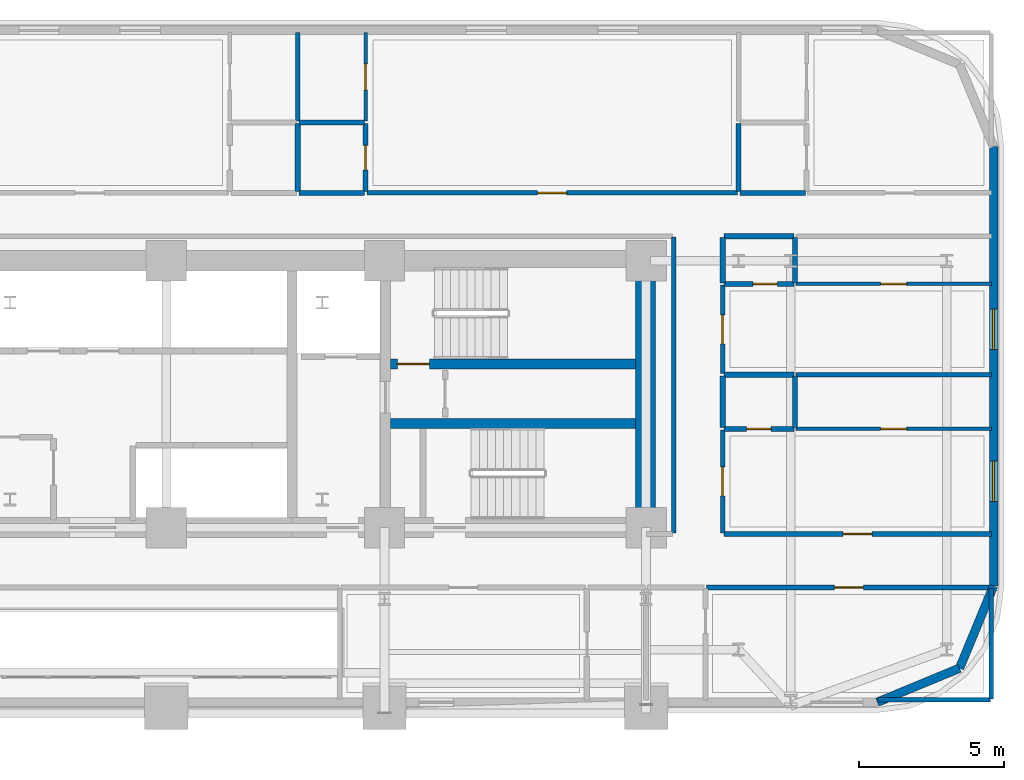
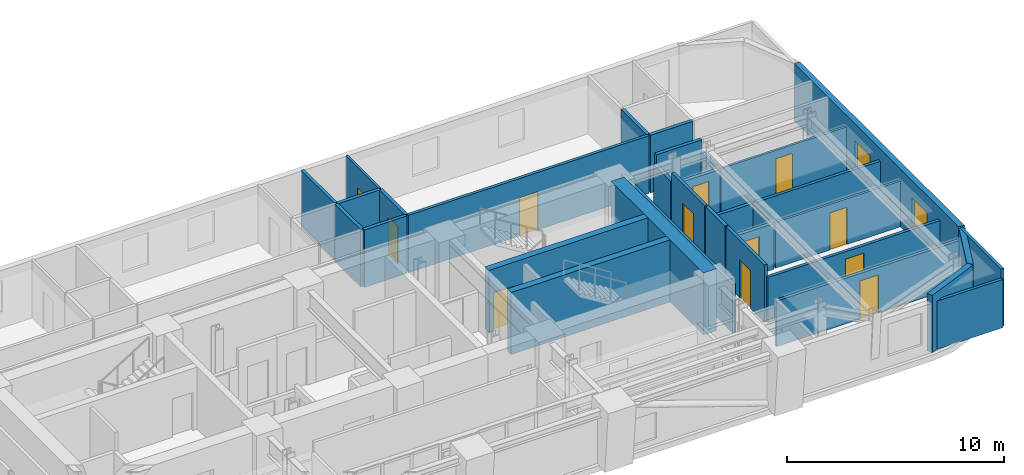
# One storey, part 11 of 15: 33 walls, 12 doors, 2 windows, 14 openings.
"""IFC4 building model written with IfcOpenShell, lengths in metres."""

from ifc_helpers import new_model, si_unit, direction, frame, frame_2d, origin, place, context, subcontext, project, spatial, rectangle, extrude, material, layer, layer_set, type_object, element, fill, save


model = new_model("IFC4")

# Units and contexts
model_context = context("Model", 3, precision=1e-05, world=origin(), true_north=direction((0.0, 1.0)))
body_context = subcontext(model_context, "Body", "Model", "MODEL_VIEW")
ifc_project = project(units=[si_unit("LENGTHUNIT", "METRE"), si_unit("AREAUNIT", "SQUARE_METRE"), si_unit("VOLUMEUNIT", "CUBIC_METRE"), si_unit("PLANEANGLEUNIT", "RADIAN"), si_unit("MASSUNIT", "GRAM", prefix="KILO")], contexts=[model_context])

# Site, building, storey
site_placement = place(None, origin())
site = spatial("IfcSite", under=ifc_project, at=site_placement, CompositionType="ELEMENT")
building_placement = place(site_placement, origin())
building = spatial("IfcBuilding", under=site, at=building_placement, Name="Zarnavel Station Tower", CompositionType="ELEMENT")
storey_placement = place(building_placement, frame((0.0, 0.0, 50.0)))
storey = spatial("IfcBuildingStorey", under=building, at=storey_placement, Name="L13", CompositionType="ELEMENT", Elevation=50.0)

# Wall, opening, door
ifc_material_1 = material(Name="Concrete C50/60", Category="concrete")
ifc_layer_1 = layer(ifc_material_1, 0.35009765625)
ifc_layer_set_1 = layer_set([ifc_layer_1], Name="CW_350")
wall_type_1 = type_object("IfcWallType", Name="CW_350", PredefinedType="SHEAR", material=ifc_layer_set_1)
wall_1_placement = place(storey_placement, frame((45.030029296875, 33.47998046875, 0.0), z_axis=(0.0, 0.0, 1.0), x_axis=(-1.0, 0.0, 0.0)))
wall_1 = element("IfcWall", 1, at=wall_1_placement, inside=storey, type_object=wall_type_1, Name="L13 Rear Core Shear Wall DIV-H2", PredefinedType="SHEAR", context=body_context, shape_type="SweptSolid", body=[
    extrude(rectangle(XDim=8.47509765625, YDim=0.35009765625, at=frame_2d((4.237548828125, 0.0))), origin(), (0.0, 0.0, 1.0), 3.5),
])
opening_1_placement = place(wall_1_placement, frame((7.1298828125, 0.0, 0.0)))
opening_1 = element("IfcOpeningElement", 2, at=opening_1_placement, cuts=wall_1, Name="Opening FD01", PredefinedType="OPENING", context=body_context, shape_type="SweptSolid", body=[
    extrude(rectangle(XDim=1.10009765625, YDim=2.14990234375, at=frame_2d((0.550048828125, 1.074951171875))), frame((0.0, 0.18505859375, 0.0), z_axis=(0.0, -1.0, 0.0), x_axis=(1.0, 0.0, 0.0)), (0.0, 0.0, 1.0), 0.3701171875),
])
ifc_material_2 = material(Name="Painted Galvanised Steel and Hardwood Leaf", Category="steel")
door_type_1 = type_object("IfcDoorType", Name="ID_STAIR_1100", OperationType="NOTDEFINED", PredefinedType="DOOR", material=ifc_material_2)
door_1_placement = place(opening_1_placement, origin())
door_1 = element("IfcDoor", 3, at=door_1_placement, inside=storey, type_object=door_type_1, Name="L13 Stair ST2 Lobby Fire Door", OperationType="SINGLE_SWING_RIGHT", OverallHeight=2.14990234375, OverallWidth=1.10009765625, PredefinedType="DOOR", context=body_context, shape_type="SweptSolid", body=[
    extrude(rectangle(XDim=1.10009765625, YDim=2.14990234375, at=frame_2d((0.550048828125, 1.074951171875))), frame((0.0, 0.02490234375, 0.0), z_axis=(0.0, -1.0, 0.0), x_axis=(1.0, 0.0, 0.0)), (0.0, 0.0, 1.0), 0.050048828125),
])
fill(opening_1, door_1)

# Walls
wall_2_placement = place(storey_placement, frame((36.554931640625, 31.419921875, 0.0), z_axis=(0.0, 0.0, 1.0), x_axis=(1.0, 0.0, 0.0)))
element("IfcWall", 4, at=wall_2_placement, inside=storey, type_object=wall_type_1, Name="L13 Rear Core Shear Wall DIV-H3", PredefinedType="SHEAR", context=body_context, shape_type="SweptSolid", body=[
    extrude(rectangle(XDim=8.47509765625, YDim=0.35009765625, at=frame_2d((4.237548828125, 0.0))), origin(), (0.0, 0.0, 1.0), 3.5),
])
ifc_material_3 = material(Name="Concrete C60/75", Category="concrete")
ifc_layer_2 = layer(ifc_material_3, 0.699951171875)
ifc_layer_set_2 = layer_set([ifc_layer_2], Name="CW_700")
wall_type_2 = type_object("IfcWallType", Name="CW_700", PredefinedType="SHEAR", material=ifc_layer_set_2)
wall_3_placement = place(storey_placement, frame((45.3798828125, 28.169921875, 0.0), z_axis=(0.0, 0.0, 1.0), x_axis=(0.0, 1.0, 0.0)))
element("IfcWall", 5, at=wall_3_placement, inside=storey, type_object=wall_type_2, Name="L13 Rear Core Shear Wall E", PredefinedType="SHEAR", context=body_context, shape_type="SweptSolid", body=[
    extrude(rectangle(XDim=8.530029296875, YDim=0.699951171875, at=frame_2d((4.26513671875, 0.0))), origin(), (0.0, 0.0, 1.0), 3.5),
])
ifc_material_4 = material(Name="Precast concrete C45/55 (Dark Basalt Finish)", Category="masonry")
ifc_layer_3 = layer(ifc_material_4, 0.300048828125)
ifc_layer_set_3 = layer_set([ifc_layer_3], Name="EW_BASALT_300")
wall_type_3 = type_object("IfcWallType", Name="EW_BASALT_300", PredefinedType="SOLIDWALL", material=ifc_layer_set_3)
wall_4_placement = place(storey_placement, frame((56.24267578125, 22.95751953125, 0.0), z_axis=(0.0, 0.0, 1.0), x_axis=(-0.923882414032, -0.382676475685, 0.0)))
element("IfcWall", 6, at=wall_4_placement, inside=storey, type_object=wall_type_3, Name="L13 Exterior Basalt Masonry Frame Wall 01", PredefinedType="SOLIDWALL", context=body_context, shape_type="SweptSolid", body=[
    extrude(rectangle(XDim=3.076904296875, YDim=0.300048828125, at=frame_2d((1.53857421875, 0.0))), origin(), (0.0, 0.0, 1.0), 3.239990234375),
])
wall_5_placement = place(storey_placement, frame((57.419921875, 25.800048828125, 0.0), z_axis=(0.0, 0.0, 1.0), x_axis=(-0.382636798336, -0.92389884758, 0.0)))
element("IfcWall", 7, at=wall_5_placement, inside=storey, type_object=wall_type_3, Name="L13 Exterior Basalt Masonry Frame Wall 02", PredefinedType="SOLIDWALL", context=body_context, shape_type="SweptSolid", body=[
    extrude(rectangle(XDim=3.07666015625, YDim=0.300048828125, at=frame_2d((1.538330078125, 0.0))), origin(), (0.0, 0.0, 1.0), 3.239990234375),
])

# Wall, openings, windows
wall_6_placement = place(storey_placement, frame((57.419921875, 41.0, 0.0), z_axis=(0.0, 0.0, 1.0), x_axis=(0.0, -1.0, 0.0)))
wall_6 = element("IfcWall", 8, at=wall_6_placement, inside=storey, type_object=wall_type_3, Name="L13 Exterior Basalt Masonry Frame Wall 03", PredefinedType="SOLIDWALL", context=body_context, shape_type="SweptSolid", body=[
    extrude(rectangle(XDim=15.199951171875, YDim=0.300048828125, at=frame_2d((7.60009765625, 0.0))), origin(), (0.0, 0.0, 1.0), 3.239990234375),
])
opening_2_placement = place(wall_6_placement, frame((10.882080078125, 0.0, 0.47998046875)))
opening_2 = element("IfcOpeningElement", 9, at=opening_2_placement, cuts=wall_6, Name="Opening WN01", PredefinedType="OPENING", context=body_context, shape_type="SweptSolid", body=[
    extrude(rectangle(XDim=1.39990234375, YDim=1.800048828125, at=frame_2d((0.699951171875, 0.89990234375))), frame((0.0, 0.159912109375, 0.0), z_axis=(0.0, -1.0, 0.0), x_axis=(1.0, 0.0, 0.0)), (0.0, 0.0, 1.0), 0.320068359375),
])
opening_3_placement = place(wall_6_placement, frame((5.62060546875, 0.0, 0.47998046875)))
opening_3 = element("IfcOpeningElement", 10, at=opening_3_placement, cuts=wall_6, Name="Opening WN01", PredefinedType="OPENING", context=body_context, shape_type="SweptSolid", body=[
    extrude(rectangle(XDim=1.39990234375, YDim=1.800048828125, at=frame_2d((0.699951171875, 0.89990234375))), frame((0.0, 0.159912109375, 0.0), z_axis=(0.0, -1.0, 0.0), x_axis=(1.0, 0.0, 0.0)), (0.0, 0.0, 1.0), 0.320068359375),
])
ifc_material_5 = material(Name="Thermally Broken Black Aluminium and Low-E Dark Glass", Category="aluminium")
window_type = type_object("IfcWindowType", Name="WN_1400x1800", PartitioningType="DOUBLE_PANEL_VERTICAL", PredefinedType="WINDOW", material=ifc_material_5)
window_1_placement = place(opening_2_placement, origin())
window_1 = element("IfcWindow", 11, at=window_1_placement, inside=storey, type_object=window_type, Name="L13 Recessed Facade Window 01", OverallHeight=1.800048828125, OverallWidth=1.39990234375, PartitioningType="SINGLE_PANEL", PredefinedType="WINDOW", context=body_context, shape_type="SweptSolid", body=[
    extrude(rectangle(XDim=1.39990234375, YDim=1.800048828125, at=frame_2d((0.699951171875, 0.89990234375))), frame((0.0, 0.030029296875, 0.0), z_axis=(0.0, -1.0, 0.0), x_axis=(1.0, 0.0, 0.0)), (0.0, 0.0, 1.0), 0.06005859375),
])
fill(opening_2, window_1)
window_2_placement = place(opening_3_placement, origin())
window_2 = element("IfcWindow", 12, at=window_2_placement, inside=storey, type_object=window_type, Name="L13 Recessed Facade Window 02", OverallHeight=1.800048828125, OverallWidth=1.39990234375, PartitioningType="SINGLE_PANEL", PredefinedType="WINDOW", context=body_context, shape_type="SweptSolid", body=[
    extrude(rectangle(XDim=1.39990234375, YDim=1.800048828125, at=frame_2d((0.699951171875, 0.89990234375))), frame((0.0, 0.030029296875, 0.0), z_axis=(0.0, -1.0, 0.0), x_axis=(1.0, 0.0, 0.0)), (0.0, 0.0, 1.0), 0.06005859375),
])
fill(opening_3, window_2)

# Wall, opening, door
ifc_material_6 = material(Name="Gypsum Twin-Stud Acoustic Fire Partition", Category="concrete")
ifc_layer_4 = layer(ifc_material_6, 0.159912109375)
ifc_layer_set_4 = layer_set([ifc_layer_4], Name="PT_DEMISE_160")
wall_type_4 = type_object("IfcWallType", Name="PT_DEMISE_160", PredefinedType="PARTITIONING", material=ifc_layer_set_4)
wall_7_placement = place(storey_placement, frame((48.090087890625, 27.60009765625, 0.0), z_axis=(0.0, 0.0, 1.0), x_axis=(1.0, 0.0, 0.0)))
wall_7 = element("IfcWall", 13, at=wall_7_placement, inside=storey, type_object=wall_type_4, Name="L13 Partition COR-S-FNE1R", PredefinedType="PARTITIONING", context=body_context, shape_type="SweptSolid", body=[
    extrude(rectangle(XDim=9.25, YDim=0.159912109375, at=frame_2d((4.625, 0.0))), origin(), (0.0, 0.0, 1.0), 2.570068359375),
])
opening_4_placement = place(wall_7_placement, frame((4.125, 0.0, 0.0)))
opening_4 = element("IfcOpeningElement", 14, at=opening_4_placement, cuts=wall_7, Name="Opening FD02", PredefinedType="OPENING", context=body_context, shape_type="SweptSolid", body=[
    extrude(rectangle(XDim=1.0, YDim=2.14990234375, at=frame_2d((0.5, 1.074951171875))), frame((0.0, 0.08984375, 0.0), z_axis=(0.0, -1.0, 0.0), x_axis=(1.0, 0.0, 0.0)), (0.0, 0.0, 1.0), 0.179931640625),
])
ifc_material_7 = material(Name="Painted Galvanised Steel and Hardwood Leaf", Category="steel")
door_type_2 = type_object("IfcDoorType", Name="ID_ENTRY_1000", OperationType="NOTDEFINED", PredefinedType="DOOR", material=ifc_material_7)
door_2_placement = place(opening_4_placement, origin())
door_2 = element("IfcDoor", 15, at=door_2_placement, inside=storey, type_object=door_type_2, Name="L13 Door COR-S-FNE1R", OperationType="SINGLE_SWING_LEFT", OverallHeight=2.14990234375, OverallWidth=1.0, PredefinedType="DOOR", context=body_context, shape_type="SweptSolid", body=[
    extrude(rectangle(XDim=1.0, YDim=2.14990234375, at=frame_2d((0.5, 1.074951171875))), frame((0.0, 0.02490234375, 0.0), z_axis=(0.0, -1.0, 0.0), x_axis=(1.0, 0.0, 0.0)), (0.0, 0.0, 1.0), 0.050048828125),
])
fill(opening_4, door_2)

wall_8_placement = place(storey_placement, frame((47.489990234375, 25.75, 0.0), z_axis=(0.0, 0.0, 1.0), x_axis=(1.0, 0.0, 0.0)))
wall_8 = element("IfcWall", 16, at=wall_8_placement, inside=storey, type_object=wall_type_4, Name="L13 Partition COR-S-HE2R", PredefinedType="PARTITIONING", context=body_context, shape_type="SweptSolid", body=[
    extrude(rectangle(XDim=9.85009765625, YDim=0.159912109375, at=frame_2d((4.925048828125, 0.0))), origin(), (0.0, 0.0, 1.0), 2.570068359375),
])
opening_5_placement = place(wall_8_placement, frame((4.425048828125, 0.0, 0.0)))
opening_5 = element("IfcOpeningElement", 17, at=opening_5_placement, cuts=wall_8, Name="Opening FD02", PredefinedType="OPENING", context=body_context, shape_type="SweptSolid", body=[
    extrude(rectangle(XDim=1.0, YDim=2.14990234375, at=frame_2d((0.5, 1.074951171875))), frame((0.0, 0.08984375, 0.0), z_axis=(0.0, -1.0, 0.0), x_axis=(1.0, 0.0, 0.0)), (0.0, 0.0, 1.0), 0.179931640625),
])
door_3_placement = place(opening_5_placement, origin())
door_3 = element("IfcDoor", 18, at=door_3_placement, inside=storey, type_object=door_type_2, Name="L13 Door COR-S-HE2R", OperationType="SINGLE_SWING_LEFT", OverallHeight=2.14990234375, OverallWidth=1.0, PredefinedType="DOOR", context=body_context, shape_type="SweptSolid", body=[
    extrude(rectangle(XDim=1.0, YDim=2.14990234375, at=frame_2d((0.5, 1.074951171875))), frame((0.0, 0.02490234375, 0.0), z_axis=(0.0, -1.0, 0.0), x_axis=(1.0, 0.0, 0.0)), (0.0, 0.0, 1.0), 0.050048828125),
])
fill(opening_5, door_3)

wall_9_placement = place(storey_placement, frame((48.050048828125, 27.639892578125, 0.0), z_axis=(0.0, 0.0, 1.0), x_axis=(0.0, 1.0, 0.0)))
wall_9 = element("IfcWall", 19, at=wall_9_placement, inside=storey, type_object=wall_type_4, Name="L13 Partition COR-E-FNE1R", PredefinedType="PARTITIONING", context=body_context, shape_type="SweptSolid", body=[
    extrude(rectangle(XDim=3.55615234375, YDim=0.159912109375, at=frame_2d((1.778076171875, 0.0))), origin(), (0.0, 0.0, 1.0), 3.239990234375),
])
opening_6_placement = place(wall_9_placement, frame((1.278076171875, 0.0, 0.0)))
opening_6 = element("IfcOpeningElement", 20, at=opening_6_placement, cuts=wall_9, Name="Opening FD02", PredefinedType="OPENING", context=body_context, shape_type="SweptSolid", body=[
    extrude(rectangle(XDim=1.0, YDim=2.14990234375, at=frame_2d((0.5, 1.074951171875))), frame((0.0, 0.08984375, 0.0), z_axis=(0.0, -1.0, 0.0), x_axis=(1.0, 0.0, 0.0)), (0.0, 0.0, 1.0), 0.179931640625),
])
door_4_placement = place(opening_6_placement, origin())
door_4 = element("IfcDoor", 21, at=door_4_placement, inside=storey, type_object=door_type_2, Name="L13 Door COR-E-FNE1R", OperationType="SINGLE_SWING_RIGHT", OverallHeight=2.14990234375, OverallWidth=1.0, PredefinedType="DOOR", context=body_context, shape_type="SweptSolid", body=[
    extrude(rectangle(XDim=1.0, YDim=2.14990234375, at=frame_2d((0.5, 1.074951171875))), frame((0.0, 0.02490234375, 0.0), z_axis=(0.0, -1.0, 0.0), x_axis=(1.0, 0.0, 0.0)), (0.0, 0.0, 1.0), 0.050048828125),
])
fill(opening_6, door_4)

wall_10_placement = place(storey_placement, frame((48.050048828125, 33.14892578125, 0.0), z_axis=(0.0, 0.0, 1.0), x_axis=(0.0, 1.0, 0.0)))
wall_10 = element("IfcWall", 22, at=wall_10_placement, inside=storey, type_object=wall_type_4, Name="L13 Partition COR-E-FNE2R", PredefinedType="PARTITIONING", context=body_context, shape_type="SweptSolid", body=[
    extrude(rectangle(XDim=3.06103515625, YDim=0.159912109375, at=frame_2d((1.530517578125, 0.0))), origin(), (0.0, 0.0, 1.0), 3.239990234375),
])
opening_7_placement = place(wall_10_placement, frame((1.030517578125, 0.0, 0.0)))
opening_7 = element("IfcOpeningElement", 23, at=opening_7_placement, cuts=wall_10, Name="Opening FD02", PredefinedType="OPENING", context=body_context, shape_type="SweptSolid", body=[
    extrude(rectangle(XDim=1.0, YDim=2.14990234375, at=frame_2d((0.5, 1.074951171875))), frame((0.0, 0.08984375, 0.0), z_axis=(0.0, -1.0, 0.0), x_axis=(1.0, 0.0, 0.0)), (0.0, 0.0, 1.0), 0.179931640625),
])
door_5_placement = place(opening_7_placement, origin())
door_5 = element("IfcDoor", 24, at=door_5_placement, inside=storey, type_object=door_type_2, Name="L13 Door COR-E-FNE2R", OperationType="SINGLE_SWING_LEFT", OverallHeight=2.14990234375, OverallWidth=1.0, PredefinedType="DOOR", context=body_context, shape_type="SweptSolid", body=[
    extrude(rectangle(XDim=1.0, YDim=2.14990234375, at=frame_2d((0.5, 1.074951171875))), frame((0.0, 0.02490234375, 0.0), z_axis=(0.0, -1.0, 0.0), x_axis=(1.0, 0.0, 0.0)), (0.0, 0.0, 1.0), 0.050048828125),
])
fill(opening_7, door_5)

wall_11_placement = place(storey_placement, frame((35.737060546875, 39.39990234375, 0.0), z_axis=(0.0, 0.0, 1.0), x_axis=(1.0, 0.0, 0.0)))
wall_11 = element("IfcWall", 25, at=wall_11_placement, inside=storey, type_object=wall_type_4, Name="L13 Partition COR-N-HN3R", PredefinedType="PARTITIONING", context=body_context, shape_type="SweptSolid", body=[
    extrude(rectangle(XDim=12.822998046875, YDim=0.159912109375, at=frame_2d((6.41162109375, 0.0))), origin(), (0.0, 0.0, 1.0), 3.239990234375),
])
opening_8_placement = place(wall_11_placement, frame((5.91162109375, 0.0, 0.0)))
opening_8 = element("IfcOpeningElement", 26, at=opening_8_placement, cuts=wall_11, Name="Opening FD02", PredefinedType="OPENING", context=body_context, shape_type="SweptSolid", body=[
    extrude(rectangle(XDim=1.0, YDim=2.14990234375, at=frame_2d((0.5, 1.074951171875))), frame((0.0, 0.08984375, 0.0), z_axis=(0.0, -1.0, 0.0), x_axis=(1.0, 0.0, 0.0)), (0.0, 0.0, 1.0), 0.179931640625),
])
door_6_placement = place(opening_8_placement, origin())
door_6 = element("IfcDoor", 27, at=door_6_placement, inside=storey, type_object=door_type_2, Name="L13 Door COR-N-HN3R", OperationType="SINGLE_SWING_LEFT", OverallHeight=2.14990234375, OverallWidth=1.0, PredefinedType="DOOR", context=body_context, shape_type="SweptSolid", body=[
    extrude(rectangle(XDim=1.0, YDim=2.14990234375, at=frame_2d((0.5, 1.074951171875))), frame((0.0, 0.02490234375, 0.0), z_axis=(0.0, -1.0, 0.0), x_axis=(1.0, 0.0, 0.0)), (0.0, 0.0, 1.0), 0.050048828125),
])
fill(opening_8, door_6)

# Walls
wall_12_placement = place(storey_placement, frame((50.590087890625, 33.10888671875, 0.0), z_axis=(0.0, 0.0, 1.0), x_axis=(1.0, 0.0, 0.0)))
element("IfcWall", 28, at=wall_12_placement, inside=storey, type_object=wall_type_4, Name="L13 Partition FNE1S-FNE2R", PredefinedType="PARTITIONING", context=body_context, shape_type="SweptSolid", body=[
    extrude(rectangle(XDim=6.75, YDim=0.159912109375, at=frame_2d((3.375, 0.0))), origin(), (0.0, 0.0, 1.0), 2.570068359375),
])
wall_13_placement = place(storey_placement, frame((33.346923828125, 41.8779296875, 0.0), z_axis=(0.0, 0.0, 1.0), x_axis=(0.0, 1.0, 0.0)))
element("IfcWall", 29, at=wall_13_placement, inside=storey, type_object=wall_type_4, Name="L13 Partition HN2S-HN3S", PredefinedType="PARTITIONING", context=body_context, shape_type="SweptSolid", body=[
    extrude(rectangle(XDim=3.06201171875, YDim=0.159912109375, at=frame_2d((1.531005859375, 0.0))), origin(), (0.0, 0.0, 1.0), 3.239990234375),
])
wall_14_placement = place(storey_placement, frame((46.35009765625, 27.6298828125, 0.0), z_axis=(0.0, 0.0, 1.0), x_axis=(0.0, 1.0, 0.0)))
element("IfcWall", 30, at=wall_14_placement, inside=storey, type_object=wall_type_4, Name="L13 Enclosure Wall COR-E", PredefinedType="PARTITIONING", context=body_context, shape_type="SweptSolid", body=[
    extrude(rectangle(XDim=10.240234375, YDim=0.159912109375, at=frame_2d((5.1201171875, 0.0))), origin(), (0.0, 0.0, 1.0), 2.719970703125),
])
wall_15_placement = place(storey_placement, frame((53.429931640625, 21.860107421875, 0.0), z_axis=(0.0, 0.0, 1.0), x_axis=(1.0, 0.0, 0.0)))
element("IfcWall", 31, at=wall_15_placement, inside=storey, type_object=wall_type_4, Name="L13 Enclosure Wall HE2R", PredefinedType="PARTITIONING", context=body_context, shape_type="SweptSolid", body=[
    extrude(rectangle(XDim=3.880126953125, YDim=0.159912109375, at=frame_2d((1.93994140625, 0.0))), origin(), (0.0, 0.0, 1.0), 2.719970703125),
])
wall_16_placement = place(storey_placement, frame((57.340087890625, 21.889892578125, 0.0), z_axis=(0.0, 0.0, 1.0), x_axis=(0.0, 1.0, 0.0)))
element("IfcWall", 32, at=wall_16_placement, inside=storey, type_object=wall_type_4, Name="L13 Enclosure Wall HE2R", PredefinedType="PARTITIONING", context=body_context, shape_type="SweptSolid", body=[
    extrude(rectangle(XDim=3.830078125, YDim=0.159912109375, at=frame_2d((1.9150390625, 0.0))), origin(), (0.0, 0.0, 1.0), 3.239990234375),
])

# Wall, opening, door
ifc_material_8 = material(Name="Gypsum Metal-Stud Interior Partition", Category="concrete")
ifc_layer_5 = layer(ifc_material_8, 0.1201171875)
ifc_layer_set_5 = layer_set([ifc_layer_5], Name="PT_ROOM_120")
wall_type_5 = type_object("IfcWallType", Name="PT_ROOM_120", PredefinedType="PARTITIONING", material=ifc_layer_set_5)
wall_17_placement = place(storey_placement, frame((50.590087890625, 31.236083984375, 0.0), z_axis=(0.0, 0.0, 1.0), x_axis=(1.0, 0.0, 0.0)))
wall_17 = element("IfcWall", 33, at=wall_17_placement, inside=storey, type_object=wall_type_5, Name="L13 Partition FNE1R-FNE1S", PredefinedType="PARTITIONING", context=body_context, shape_type="SweptSolid", body=[
    extrude(rectangle(XDim=6.75, YDim=0.1201171875, at=frame_2d((3.375, 0.0))), origin(), (0.0, 0.0, 1.0), 2.570068359375),
])
opening_9_placement = place(wall_17_placement, frame((2.925048828125, 0.0, 0.0)))
opening_9 = element("IfcOpeningElement", 34, at=opening_9_placement, cuts=wall_17, Name="Opening ID01", PredefinedType="OPENING", context=body_context, shape_type="SweptSolid", body=[
    extrude(rectangle(XDim=0.89990234375, YDim=2.10009765625, at=frame_2d((0.449951171875, 1.050048828125))), frame((0.0, 0.070068359375, 0.0), z_axis=(0.0, -1.0, 0.0), x_axis=(1.0, 0.0, 0.0)), (0.0, 0.0, 1.0), 0.14013671875),
])
ifc_material_9 = material(Name="Painted Galvanised Steel and Hardwood Leaf", Category="steel")
door_type_3 = type_object("IfcDoorType", Name="ID_ROOM_900", OperationType="NOTDEFINED", PredefinedType="DOOR", material=ifc_material_9)
door_7_placement = place(opening_9_placement, origin())
door_7 = element("IfcDoor", 35, at=door_7_placement, inside=storey, type_object=door_type_3, Name="L13 Door FNE1R-FNE1S", OperationType="SINGLE_SWING_RIGHT", OverallHeight=2.10009765625, OverallWidth=0.89990234375, PredefinedType="DOOR", context=body_context, shape_type="SweptSolid", body=[
    extrude(rectangle(XDim=0.89990234375, YDim=2.10009765625, at=frame_2d((0.449951171875, 1.050048828125))), frame((0.0, 0.02490234375, 0.0), z_axis=(0.0, -1.0, 0.0), x_axis=(1.0, 0.0, 0.0)), (0.0, 0.0, 1.0), 0.050048828125),
])
fill(opening_9, door_7)

wall_18_placement = place(storey_placement, frame((50.590087890625, 36.25, 0.0), z_axis=(0.0, 0.0, 1.0), x_axis=(1.0, 0.0, 0.0)))
wall_18 = element("IfcWall", 36, at=wall_18_placement, inside=storey, type_object=wall_type_5, Name="L13 Partition FNE2R-FNE2S", PredefinedType="PARTITIONING", context=body_context, shape_type="SweptSolid", body=[
    extrude(rectangle(XDim=6.75, YDim=0.1201171875, at=frame_2d((3.375, 0.0))), origin(), (0.0, 0.0, 1.0), 2.570068359375),
])
opening_10_placement = place(wall_18_placement, frame((2.925048828125, 0.0, 0.0)))
opening_10 = element("IfcOpeningElement", 37, at=opening_10_placement, cuts=wall_18, Name="Opening ID01", PredefinedType="OPENING", context=body_context, shape_type="SweptSolid", body=[
    extrude(rectangle(XDim=0.89990234375, YDim=2.10009765625, at=frame_2d((0.449951171875, 1.050048828125))), frame((0.0, 0.070068359375, 0.0), z_axis=(0.0, -1.0, 0.0), x_axis=(1.0, 0.0, 0.0)), (0.0, 0.0, 1.0), 0.14013671875),
])
door_8_placement = place(opening_10_placement, origin())
door_8 = element("IfcDoor", 38, at=door_8_placement, inside=storey, type_object=door_type_3, Name="L13 Door FNE2R-FNE2S", OperationType="SINGLE_SWING_RIGHT", OverallHeight=2.10009765625, OverallWidth=0.89990234375, PredefinedType="DOOR", context=body_context, shape_type="SweptSolid", body=[
    extrude(rectangle(XDim=0.89990234375, YDim=2.10009765625, at=frame_2d((0.449951171875, 1.050048828125))), frame((0.0, 0.02490234375, 0.0), z_axis=(0.0, -1.0, 0.0), x_axis=(1.0, 0.0, 0.0)), (0.0, 0.0, 1.0), 0.050048828125),
])
fill(opening_10, door_8)

wall_19_placement = place(storey_placement, frame((35.697021484375, 41.8779296875, 0.0), z_axis=(0.0, 0.0, 1.0), x_axis=(0.0, 1.0, 0.0)))
wall_19 = element("IfcWall", 39, at=wall_19_placement, inside=storey, type_object=wall_type_5, Name="L13 Partition HN3R-HN3S", PredefinedType="PARTITIONING", context=body_context, shape_type="SweptSolid", body=[
    extrude(rectangle(XDim=3.06201171875, YDim=0.1201171875, at=frame_2d((1.531005859375, 0.0))), origin(), (0.0, 0.0, 1.0), 3.239990234375),
])
opening_11_placement = place(wall_19_placement, frame((1.0810546875, 0.0, 0.0)))
opening_11 = element("IfcOpeningElement", 40, at=opening_11_placement, cuts=wall_19, Name="Opening ID01", PredefinedType="OPENING", context=body_context, shape_type="SweptSolid", body=[
    extrude(rectangle(XDim=0.89990234375, YDim=2.10009765625, at=frame_2d((0.449951171875, 1.050048828125))), frame((0.0, 0.070068359375, 0.0), z_axis=(0.0, -1.0, 0.0), x_axis=(1.0, 0.0, 0.0)), (0.0, 0.0, 1.0), 0.14013671875),
])
door_9_placement = place(opening_11_placement, origin())
door_9 = element("IfcDoor", 41, at=door_9_placement, inside=storey, type_object=door_type_3, Name="L13 Door HN3R-HN3S", OperationType="SINGLE_SWING_RIGHT", OverallHeight=2.10009765625, OverallWidth=0.89990234375, PredefinedType="DOOR", context=body_context, shape_type="SweptSolid", body=[
    extrude(rectangle(XDim=0.89990234375, YDim=2.10009765625, at=frame_2d((0.449951171875, 1.050048828125))), frame((0.0, 0.02490234375, 0.0), z_axis=(0.0, -1.0, 0.0), x_axis=(1.0, 0.0, 0.0)), (0.0, 0.0, 1.0), 0.050048828125),
])
fill(opening_11, door_9)

# Walls
ifc_material_10 = material(Name="Moisture-Resistant Plumbing Chase Wall", Category="concrete")
ifc_layer_6 = layer(ifc_material_10, 0.179931640625)
ifc_layer_set_6 = layer_set([ifc_layer_6], Name="PW_PLUMB_180")
wall_type_6 = type_object("IfcWallType", Name="PW_PLUMB_180", PredefinedType="PLUMBINGWALL", material=ifc_layer_set_6)
wall_20_placement = place(storey_placement, frame((48.050048828125, 31.27587890625, 0.0), z_axis=(0.0, 0.0, 1.0), x_axis=(0.0, 1.0, 0.0)))
element("IfcWall", 42, at=wall_20_placement, inside=storey, type_object=wall_type_6, Name="L13 Partition COR-E-FNE1B", PredefinedType="PLUMBINGWALL", context=body_context, shape_type="SweptSolid", body=[
    extrude(rectangle(XDim=1.793212890625, YDim=0.179931640625, at=frame_2d((0.896484375, 0.0))), origin(), (0.0, 0.0, 1.0), 3.239990234375),
])
wall_21_placement = place(storey_placement, frame((48.050048828125, 36.2900390625, 0.0), z_axis=(0.0, 0.0, 1.0), x_axis=(0.0, 1.0, 0.0)))
element("IfcWall", 43, at=wall_21_placement, inside=storey, type_object=wall_type_6, Name="L13 Partition COR-E-FNE2B", PredefinedType="PLUMBINGWALL", context=body_context, shape_type="SweptSolid", body=[
    extrude(rectangle(XDim=1.570068359375, YDim=0.179931640625, at=frame_2d((0.78515625, 0.0))), origin(), (0.0, 0.0, 1.0), 2.719970703125),
])
wall_22_placement = place(storey_placement, frame((48.090087890625, 37.89990234375, 0.0), z_axis=(0.0, 0.0, 1.0), x_axis=(1.0, 0.0, 0.0)))
element("IfcWall", 44, at=wall_22_placement, inside=storey, type_object=wall_type_6, Name="L13 Partition COR-N-FNE2B", PredefinedType="PLUMBINGWALL", context=body_context, shape_type="SweptSolid", body=[
    extrude(rectangle(XDim=2.419921875, YDim=0.179931640625, at=frame_2d((1.2099609375, 0.0))), origin(), (0.0, 0.0, 1.0), 3.239990234375),
])
for number, where, z_axis, x_axis, name in (
    (45, (33.386962890625, 39.39990234375, 0.0), (0.0, 0.0, 1.0), (1.0, 0.0, 0.0), "L13 Partition COR-N-HN3B"),
    (46, (48.639892578125, 39.39990234375, 0.0), (0.0, 0.0, 1.0), (1.0, 0.0, 0.0), "L13 Partition COR-N-HN4B"),
):
    element("IfcWall", number, at=place(storey_placement, frame(where, z_axis=z_axis, x_axis=x_axis)), inside=storey, type_object=wall_type_6, Name=name, PredefinedType="PLUMBINGWALL", context=body_context, shape_type="SweptSolid", body=[
        extrude(rectangle(XDim=2.27001953125, YDim=0.179931640625, at=frame_2d((1.135009765625, 0.0))), origin(), (0.0, 0.0, 1.0), 3.239990234375),
    ])

# Wall, opening, door
wall_23_placement = place(storey_placement, frame((48.090087890625, 31.236083984375, 0.0), z_axis=(0.0, 0.0, 1.0), x_axis=(1.0, 0.0, 0.0)))
wall_23 = element("IfcWall", 47, at=wall_23_placement, inside=storey, type_object=wall_type_6, Name="L13 Partition FNE1R-FNE1B", PredefinedType="PLUMBINGWALL", context=body_context, shape_type="SweptSolid", body=[
    extrude(rectangle(XDim=2.419921875, YDim=0.179931640625, at=frame_2d((1.2099609375, 0.0))), origin(), (0.0, 0.0, 1.0), 2.570068359375),
])
opening_12_placement = place(wall_23_placement, frame((0.784912109375, 0.0, 0.0)))
opening_12 = element("IfcOpeningElement", 48, at=opening_12_placement, cuts=wall_23, Name="Opening ID02", PredefinedType="OPENING", context=body_context, shape_type="SweptSolid", body=[
    extrude(rectangle(XDim=0.85009765625, YDim=2.10009765625, at=frame_2d((0.425048828125, 1.050048828125))), frame((0.0, 0.099853515625, 0.0), z_axis=(0.0, -1.0, 0.0), x_axis=(1.0, 0.0, 0.0)), (0.0, 0.0, 1.0), 0.199951171875),
])
ifc_material_11 = material(Name="Painted Galvanised Steel and Hardwood Leaf", Category="steel")
door_type_4 = type_object("IfcDoorType", Name="ID_BATH_850", OperationType="NOTDEFINED", PredefinedType="DOOR", material=ifc_material_11)
door_10_placement = place(opening_12_placement, origin())
door_10 = element("IfcDoor", 49, at=door_10_placement, inside=storey, type_object=door_type_4, Name="L13 Door FNE1R-FNE1B", OperationType="SINGLE_SWING_LEFT", OverallHeight=2.10009765625, OverallWidth=0.85009765625, PredefinedType="DOOR", context=body_context, shape_type="SweptSolid", body=[
    extrude(rectangle(XDim=0.85009765625, YDim=2.10009765625, at=frame_2d((0.425048828125, 1.050048828125))), frame((0.0, 0.02490234375, 0.0), z_axis=(0.0, -1.0, 0.0), x_axis=(1.0, 0.0, 0.0)), (0.0, 0.0, 1.0), 0.050048828125),
])
fill(opening_12, door_10)

# Walls
wall_24_placement = place(storey_placement, frame((50.550048828125, 31.27587890625, 0.0), z_axis=(0.0, 0.0, 1.0), x_axis=(0.0, 1.0, 0.0)))
element("IfcWall", 50, at=wall_24_placement, inside=storey, type_object=wall_type_6, Name="L13 Partition FNE1B-FNE1S", PredefinedType="PLUMBINGWALL", context=body_context, shape_type="SweptSolid", body=[
    extrude(rectangle(XDim=1.793212890625, YDim=0.179931640625, at=frame_2d((0.896484375, 0.0))), origin(), (0.0, 0.0, 1.0), 2.570068359375),
])
wall_25_placement = place(storey_placement, frame((48.090087890625, 33.10888671875, 0.0), z_axis=(0.0, 0.0, 1.0), x_axis=(1.0, 0.0, 0.0)))
element("IfcWall", 51, at=wall_25_placement, inside=storey, type_object=wall_type_6, Name="L13 Partition FNE1B-FNE2R", PredefinedType="PLUMBINGWALL", context=body_context, shape_type="SweptSolid", body=[
    extrude(rectangle(XDim=2.419921875, YDim=0.179931640625, at=frame_2d((1.2099609375, 0.0))), origin(), (0.0, 0.0, 1.0), 2.570068359375),
])

# Wall, opening, door
wall_26_placement = place(storey_placement, frame((50.510009765625, 36.25, 0.0), z_axis=(0.0, 0.0, 1.0), x_axis=(-1.0, 0.0, 0.0)))
wall_26 = element("IfcWall", 52, at=wall_26_placement, inside=storey, type_object=wall_type_6, Name="L13 Partition FNE2R-FNE2B", PredefinedType="PLUMBINGWALL", context=body_context, shape_type="SweptSolid", body=[
    extrude(rectangle(XDim=2.419921875, YDim=0.179931640625, at=frame_2d((1.2099609375, 0.0))), origin(), (0.0, 0.0, 1.0), 2.570068359375),
])
opening_13_placement = place(wall_26_placement, frame((0.570068359375, 0.0, 0.0)))
opening_13 = element("IfcOpeningElement", 53, at=opening_13_placement, cuts=wall_26, Name="Opening ID02", PredefinedType="OPENING", context=body_context, shape_type="SweptSolid", body=[
    extrude(rectangle(XDim=0.85009765625, YDim=2.10009765625, at=frame_2d((0.425048828125, 1.050048828125))), frame((0.0, 0.099853515625, 0.0), z_axis=(0.0, -1.0, 0.0), x_axis=(1.0, 0.0, 0.0)), (0.0, 0.0, 1.0), 0.199951171875),
])
door_11_placement = place(opening_13_placement, origin())
door_11 = element("IfcDoor", 54, at=door_11_placement, inside=storey, type_object=door_type_4, Name="L13 Door FNE2R-FNE2B", OperationType="SINGLE_SWING_LEFT", OverallHeight=2.10009765625, OverallWidth=0.85009765625, PredefinedType="DOOR", context=body_context, shape_type="SweptSolid", body=[
    extrude(rectangle(XDim=0.85009765625, YDim=2.10009765625, at=frame_2d((0.425048828125, 1.050048828125))), frame((0.0, 0.02490234375, 0.0), z_axis=(0.0, -1.0, 0.0), x_axis=(1.0, 0.0, 0.0)), (0.0, 0.0, 1.0), 0.050048828125),
])
fill(opening_13, door_11)

# Walls
wall_27_placement = place(storey_placement, frame((50.550048828125, 36.2900390625, 0.0), z_axis=(0.0, 0.0, 1.0), x_axis=(0.0, 1.0, 0.0)))
element("IfcWall", 55, at=wall_27_placement, inside=storey, type_object=wall_type_6, Name="L13 Partition FNE2B-FNE2S", PredefinedType="PLUMBINGWALL", context=body_context, shape_type="SweptSolid", body=[
    extrude(rectangle(XDim=1.570068359375, YDim=0.179931640625, at=frame_2d((0.78515625, 0.0))), origin(), (0.0, 0.0, 1.0), 2.570068359375),
])
wall_28_placement = place(storey_placement, frame((33.346923828125, 39.43994140625, 0.0), z_axis=(0.0, 0.0, 1.0), x_axis=(0.0, 1.0, 0.0)))
element("IfcWall", 56, at=wall_28_placement, inside=storey, type_object=wall_type_6, Name="L13 Partition HN2B-HN3B", PredefinedType="PLUMBINGWALL", context=body_context, shape_type="SweptSolid", body=[
    extrude(rectangle(XDim=2.358154296875, YDim=0.179931640625, at=frame_2d((1.17919921875, 0.0))), origin(), (0.0, 0.0, 1.0), 3.239990234375),
])

# Wall, opening, door
wall_29_placement = place(storey_placement, frame((35.697021484375, 39.43994140625, 0.0), z_axis=(0.0, 0.0, 1.0), x_axis=(0.0, 1.0, 0.0)))
wall_29 = element("IfcWall", 57, at=wall_29_placement, inside=storey, type_object=wall_type_6, Name="L13 Partition HN3R-HN3B", PredefinedType="PLUMBINGWALL", context=body_context, shape_type="SweptSolid", body=[
    extrude(rectangle(XDim=2.358154296875, YDim=0.179931640625, at=frame_2d((1.17919921875, 0.0))), origin(), (0.0, 0.0, 1.0), 3.239990234375),
])
opening_14_placement = place(wall_29_placement, frame((0.75390625, 0.0, 0.0)))
opening_14 = element("IfcOpeningElement", 58, at=opening_14_placement, cuts=wall_29, Name="Opening ID02", PredefinedType="OPENING", context=body_context, shape_type="SweptSolid", body=[
    extrude(rectangle(XDim=0.85009765625, YDim=2.10009765625, at=frame_2d((0.425048828125, 1.050048828125))), frame((0.0, 0.099853515625, 0.0), z_axis=(0.0, -1.0, 0.0), x_axis=(1.0, 0.0, 0.0)), (0.0, 0.0, 1.0), 0.199951171875),
])
door_12_placement = place(opening_14_placement, origin())
door_12 = element("IfcDoor", 59, at=door_12_placement, inside=storey, type_object=door_type_4, Name="L13 Door HN3R-HN3B", OperationType="SINGLE_SWING_LEFT", OverallHeight=2.10009765625, OverallWidth=0.85009765625, PredefinedType="DOOR", context=body_context, shape_type="SweptSolid", body=[
    extrude(rectangle(XDim=0.85009765625, YDim=2.10009765625, at=frame_2d((0.425048828125, 1.050048828125))), frame((0.0, 0.02490234375, 0.0), z_axis=(0.0, -1.0, 0.0), x_axis=(1.0, 0.0, 0.0)), (0.0, 0.0, 1.0), 0.050048828125),
])
fill(opening_14, door_12)

# Walls
wall_30_placement = place(storey_placement, frame((48.60009765625, 39.43994140625, 0.0), z_axis=(0.0, 0.0, 1.0), x_axis=(0.0, 1.0, 0.0)))
element("IfcWall", 60, at=wall_30_placement, inside=storey, type_object=wall_type_6, Name="L13 Partition HN3R-HN4B", PredefinedType="PLUMBINGWALL", context=body_context, shape_type="SweptSolid", body=[
    extrude(rectangle(XDim=2.358154296875, YDim=0.179931640625, at=frame_2d((1.17919921875, 0.0))), origin(), (0.0, 0.0, 1.0), 3.239990234375),
])
wall_31_placement = place(storey_placement, frame((33.386962890625, 41.837890625, 0.0), z_axis=(0.0, 0.0, 1.0), x_axis=(1.0, 0.0, 0.0)))
element("IfcWall", 61, at=wall_31_placement, inside=storey, type_object=wall_type_6, Name="L13 Partition HN3B-HN3S", PredefinedType="PLUMBINGWALL", context=body_context, shape_type="SweptSolid", body=[
    extrude(rectangle(XDim=2.27001953125, YDim=0.179931640625, at=frame_2d((1.135009765625, 0.0))), origin(), (0.0, 0.0, 1.0), 3.239990234375),
])

save(model, "model.ifc")
